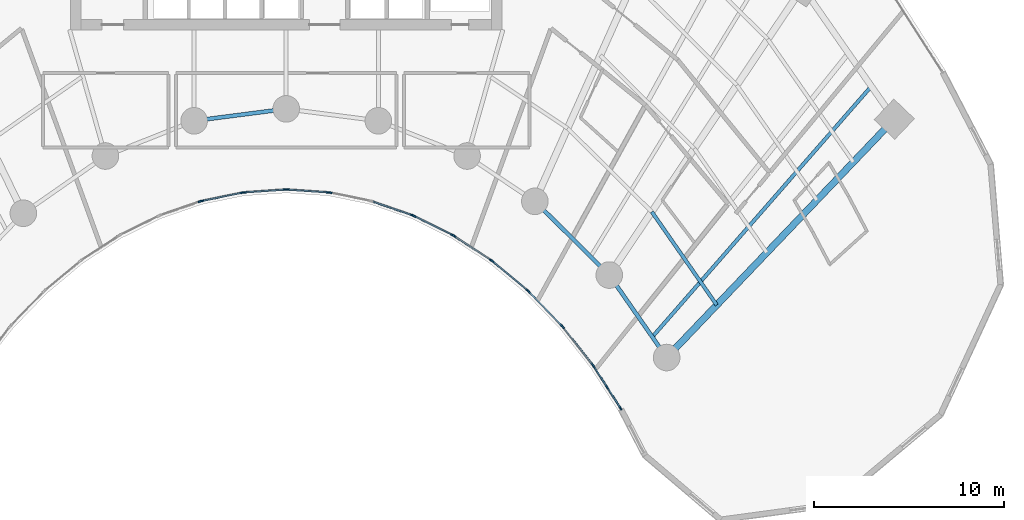
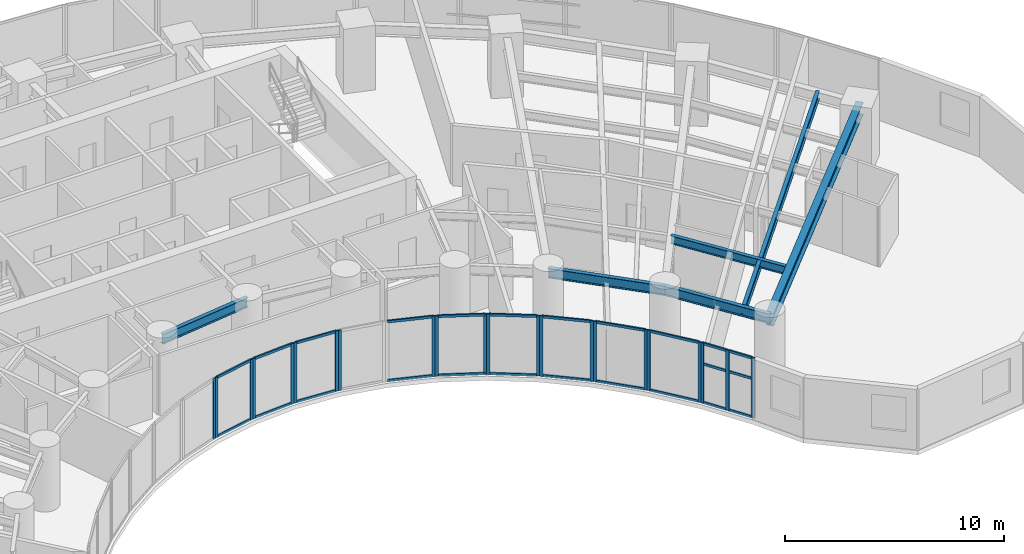
# One storey, part 4 of 17: 46 members, 6 beams, 12 elements without a shape of their own.
"""IFC4 building model written with IfcOpenShell, lengths in metres."""

from ifc_helpers import new_model, si_unit, direction, frame, origin, origin_2d, place, context, subcontext, project, spatial, rectangle, i_section, extrude, source, transform, mapped, material, layer, layer_set, material_profile, profile_set, type_object, type_shapes, element, aggregate, save


model = new_model("IFC4")

# Units and contexts
model_context = context("Model", 3, precision=1e-05, world=origin(), true_north=direction((0.0, 1.0)))
body_context = subcontext(model_context, "Body", "Model", "MODEL_VIEW")
ifc_project = project(units=[si_unit("LENGTHUNIT", "METRE"), si_unit("AREAUNIT", "SQUARE_METRE"), si_unit("VOLUMEUNIT", "CUBIC_METRE"), si_unit("PLANEANGLEUNIT", "RADIAN"), si_unit("MASSUNIT", "GRAM", prefix="KILO")], contexts=[model_context])

# Site, building, storey
site_placement = place(None, origin())
site = spatial("IfcSite", under=ifc_project, at=site_placement, CompositionType="ELEMENT")
building_placement = place(site_placement, origin())
building = spatial("IfcBuilding", under=site, at=building_placement, Name="Breltana Convention Tower", CompositionType="ELEMENT")
storey_placement = place(building_placement, frame((0.0, 0.0, 75.0)))
storey = spatial("IfcBuildingStorey", under=building, at=storey_placement, Name="L17", CompositionType="ELEMENT", Elevation=75.0)

# Beams
ifc_material_1 = material(Name="Steel ASTM A992 Grade 50", Category="steel")
ifc_material_profile_1 = material_profile(ifc_material_1, i_section(OverallWidth=0.35498046875, OverallDepth=0.696044921875, WebThickness=0.015380859375, FlangeThickness=0.02490234375, at=origin_2d()), Name="W27X146")
ifc_profile_set_1 = profile_set([ifc_material_profile_1], Name="Steel ASTM A992 Grade 50")
beam_type_1 = type_object("IfcBeamType", Name="BM-RG-W27X146", PredefinedType="USERDEFINED", material=ifc_profile_set_1)
shared_shape_1 = source(origin(), body_context, "Body", "SweptSolid", [
    extrude(i_section(OverallWidth=0.35498046875, OverallDepth=0.696044921875, WebThickness=0.015380859375, FlangeThickness=0.02490234375, at=origin_2d()), origin(), (0.0, 0.0, 1.0), 17.341064453125),
])
type_shapes(beam_type_1, [shared_shape_1])
beam_1_placement = place(storey_placement, frame((68.015380859375, 42.95458984375, 3.011962890625), z_axis=(0.690716462293, 0.723125693581, 0.0), x_axis=(-0.723125693581, 0.690716462293, 0.0)))
element("IfcBeam", 1, at=beam_1_placement, inside=storey, type_object=beam_type_1, Name="L17 Radial Floor Girder R11", ObjectType="GIRDER", PredefinedType="USERDEFINED", context=body_context, shape_type="MappedRepresentation", body=[
    mapped(shared_shape_1, transform((0.0, 0.0, 0.0), scale=1.0)),
])
ifc_material_profile_2 = material_profile(ifc_material_1, i_section(OverallWidth=0.2099609375, OverallDepth=0.537109375, WebThickness=0.010986328125, FlangeThickness=0.017333984375, at=origin_2d()), Name="W21X68")
ifc_profile_set_2 = profile_set([ifc_material_profile_2], Name="Steel ASTM A992 Grade 50")
beam_type_2 = type_object("IfcBeamType", Name="BM-BM-W21X68", PredefinedType="BEAM", material=ifc_profile_set_2)
shared_shape_2 = source(origin(), body_context, "Body", "SweptSolid", [
    extrude(i_section(OverallWidth=0.2099609375, OverallDepth=0.537109375, WebThickness=0.010986328125, FlangeThickness=0.017333984375, at=origin_2d()), origin(), (0.0, 0.0, 1.0), 4.88671875),
])
beam_2_placement = place(storey_placement, frame((43.153564453125, 55.41064453125, 3.091552734375), z_axis=(0.991780525565, 0.127950729231, 0.0), x_axis=(-0.127950729231, 0.991780525565, 0.0)))
element("IfcBeam", 2, at=beam_2_placement, inside=storey, type_object=beam_type_2, Name="L17 Inner Ring Beam 05", PredefinedType="BEAM", context=body_context, shape_type="MappedRepresentation", body=[
    mapped(shared_shape_2, transform((0.0, 0.0, 0.0), scale=1.0)),
])
shared_shape_3 = source(origin(), body_context, "Body", "SweptSolid", [
    extrude(i_section(OverallWidth=0.2099609375, OverallDepth=0.537109375, WebThickness=0.010986328125, FlangeThickness=0.017333984375, at=origin_2d()), origin(), (0.0, 0.0, 1.0), 5.51171875),
])
beam_3_placement = place(storey_placement, frame((61.08203125, 51.174560546875, 3.091552734375), z_axis=(0.710090360749, -0.704110559196, 0.0), x_axis=(0.704110559196, 0.710090360749, 0.0)))
element("IfcBeam", 3, at=beam_3_placement, inside=storey, type_object=beam_type_2, Name="L17 Inner Ring Beam 09", PredefinedType="BEAM", context=body_context, shape_type="MappedRepresentation", body=[
    mapped(shared_shape_3, transform((0.0, 0.0, 0.0), scale=1.0)),
])
shared_shape_4 = source(origin(), body_context, "Body", "SweptSolid", [
    extrude(i_section(OverallWidth=0.2099609375, OverallDepth=0.537109375, WebThickness=0.010986328125, FlangeThickness=0.017333984375, at=origin_2d()), origin(), (0.0, 0.0, 1.0), 5.286376953125),
])
beam_4_placement = place(storey_placement, frame((64.995849609375, 47.293701171875, 3.091552734375), z_axis=(0.571194382458, -0.82081482531, 0.0), x_axis=(0.82081482531, 0.571194382458, 0.0)))
element("IfcBeam", 4, at=beam_4_placement, inside=storey, type_object=beam_type_2, Name="L17 Inner Ring Beam 10", PredefinedType="BEAM", context=body_context, shape_type="MappedRepresentation", body=[
    mapped(shared_shape_4, transform((0.0, 0.0, 0.0), scale=1.0)),
])
ifc_material_profile_3 = material_profile(ifc_material_1, i_section(OverallWidth=0.19091796875, OverallDepth=0.4599609375, WebThickness=0.010009765625, FlangeThickness=0.01611328125, at=origin_2d()), Name="W18X55")
ifc_profile_set_3 = profile_set([ifc_material_profile_3], Name="Steel ASTM A992 Grade 50")
beam_type_3 = type_object("IfcBeamType", Name="BM-JSG-07", PredefinedType="JOIST", material=ifc_profile_set_3)
shared_shape_5 = source(origin(), body_context, "Body", "SweptSolid", [
    extrude(i_section(OverallWidth=0.19091796875, OverallDepth=0.4599609375, WebThickness=0.010009765625, FlangeThickness=0.01611328125, at=origin_2d()), origin(), (0.0, 0.0, 1.0), 5.982421875),
])
beam_5_placement = place(storey_placement, frame((67.2333984375, 50.623779296875, 3.1298828125), z_axis=(0.571211549446, -0.82080287876, 0.0), x_axis=(0.82080287876, 0.571211549446, 0.0)))
element("IfcBeam", 5, at=beam_5_placement, inside=storey, type_object=beam_type_3, Name="L17 Composite Floor Joist 10.1", PredefinedType="JOIST", context=body_context, shape_type="MappedRepresentation", body=[
    mapped(shared_shape_5, transform((0.0, 0.0, 0.0), scale=1.0)),
])
shared_shape_6 = source(origin(), body_context, "Body", "SweptSolid", [
    extrude(i_section(OverallWidth=0.19091796875, OverallDepth=0.4599609375, WebThickness=0.010009765625, FlangeThickness=0.01611328125, at=origin_2d()), origin(), (0.0, 0.0, 1.0), 17.515625),
])
beam_6_placement = place(storey_placement, frame((67.260498046875, 44.03955078125, 3.1298828125), z_axis=(0.658051548324, 0.752972881151, 0.0), x_axis=(-0.752972881151, 0.658051548324, 0.0)))
element("IfcBeam", 6, at=beam_6_placement, inside=storey, type_object=beam_type_3, Name="L17 Quarter-Bay Radial Trimmer 10", PredefinedType="JOIST", context=body_context, shape_type="MappedRepresentation", body=[
    mapped(shared_shape_6, transform((0.0, 0.0, 0.0), scale=1.0)),
])

# Curtain wall, members
ifc_material_2 = material(Name="Aluminium Anodised Bronze Frame", Category="aluminium")
ifc_layer = layer(ifc_material_2, 0.18994140625, Name="Aluminium Anodised Bronze Frame")
ifc_layer_set = layer_set([ifc_layer], Name="Aluminium Anodised Bronze Frame")
curtain_wall_type = type_object("IfcCurtainWallType", Name="CW-SYS-1", PredefinedType="NOTDEFINED", material=ifc_layer_set)
curtain_wall_1_placement = place(storey_placement, origin())
curtain_wall_1 = element("IfcCurtainWall", 7, at=curtain_wall_1_placement, inside=storey, type_object=curtain_wall_type, Name="L17 inner south-court glazing 3", PredefinedType="NOTDEFINED")
ifc_material_3 = material(Name="Aluminium Anodised Bronze", Category="aluminium")
ifc_material_profile_4 = material_profile(ifc_material_3, rectangle(XDim=0.080078125, YDim=0.139892578125, at=origin_2d()), Name="CWT-80X140")
ifc_profile_set_4 = profile_set([ifc_material_profile_4], Name="Aluminium Anodised Bronze")
member_type_1 = type_object("IfcMemberType", Name="CWT-140", PredefinedType="USERDEFINED", material=ifc_profile_set_4)
shared_shape_7 = source(origin(), body_context, "Body", "SweptSolid", [
    extrude(rectangle(XDim=0.080078125, YDim=0.139892578125, at=origin_2d()), origin(), (0.0, 0.0, 1.0), 2.38720703125),
])
type_shapes(member_type_1, [shared_shape_7])
member_1_placement = place(storey_placement, frame((62.4560546875, 44.667724609375, 0.0400390625), z_axis=(-0.694623715393, 0.719373264734, 0.0), x_axis=(-0.719373264734, -0.694623715393, 0.0)))
member_1 = element("IfcMember", 8, at=member_1_placement, type_object=member_type_1, Name="CW-01 transom 1.1", ObjectType="TRANSOM", PredefinedType="USERDEFINED", context=body_context, shape_type="MappedRepresentation", body=[
    mapped(shared_shape_7, transform((0.0, 0.0, 0.0), scale=1.0)),
])
member_2_placement = place(storey_placement, frame((62.4560546875, 44.667724609375, 3.320068359375), z_axis=(-0.694623715393, 0.719373264734, 0.0), x_axis=(-0.719373264734, -0.694623715393, 0.0)))
member_2 = element("IfcMember", 9, at=member_2_placement, type_object=member_type_1, Name="CW-01 transom 1.2", ObjectType="TRANSOM", PredefinedType="USERDEFINED", context=body_context, shape_type="MappedRepresentation", body=[
    mapped(shared_shape_7, transform((0.0, 0.0, 0.0), scale=1.0)),
])

curtain_wall_2_placement = place(storey_placement, origin())
curtain_wall_2 = element("IfcCurtainWall", 10, at=curtain_wall_2_placement, inside=storey, type_object=curtain_wall_type, Name="L17 inner south-court glazing 4", PredefinedType="NOTDEFINED")
shared_shape_8 = source(origin(), body_context, "Body", "SweptSolid", [
    extrude(rectangle(XDim=0.080078125, YDim=0.139892578125, at=origin_2d()), origin(), (0.0, 0.0, 1.0), 2.312255859375),
])
member_3_placement = place(storey_placement, frame((60.666748046875, 46.5068359375, 0.0400390625), z_axis=(-0.767900974507, 0.640568570374, 0.0), x_axis=(-0.640568570374, -0.767900974507, 0.0)))
member_3 = element("IfcMember", 11, at=member_3_placement, type_object=member_type_1, Name="CW-01 transom 1.1", ObjectType="TRANSOM", PredefinedType="USERDEFINED", context=body_context, shape_type="MappedRepresentation", body=[
    mapped(shared_shape_8, transform((0.0, 0.0, 0.0), scale=1.0)),
])
member_4_placement = place(storey_placement, frame((60.666748046875, 46.5068359375, 3.320068359375), z_axis=(-0.767900974507, 0.640568570374, 0.0), x_axis=(-0.640568570374, -0.767900974507, 0.0)))
member_4 = element("IfcMember", 12, at=member_4_placement, type_object=member_type_1, Name="CW-01 transom 1.2", ObjectType="TRANSOM", PredefinedType="USERDEFINED", context=body_context, shape_type="MappedRepresentation", body=[
    mapped(shared_shape_8, transform((0.0, 0.0, 0.0), scale=1.0)),
])

curtain_wall_3_placement = place(storey_placement, origin())
curtain_wall_3 = element("IfcCurtainWall", 13, at=curtain_wall_3_placement, inside=storey, type_object=curtain_wall_type, Name="L17 inner south-court glazing 5", PredefinedType="NOTDEFINED")
shared_shape_9 = source(origin(), body_context, "Body", "SweptSolid", [
    extrude(rectangle(XDim=0.080078125, YDim=0.139892578125, at=origin_2d()), origin(), (0.0, 0.0, 1.0), 2.2421875),
])
member_5_placement = place(storey_placement, frame((58.746337890625, 48.095458984375, 0.0400390625), z_axis=(-0.835982353773, 0.548756324957, 0.0), x_axis=(-0.548756324957, -0.835982353773, 0.0)))
member_5 = element("IfcMember", 14, at=member_5_placement, type_object=member_type_1, Name="CW-01 transom 1.1", ObjectType="TRANSOM", PredefinedType="USERDEFINED", context=body_context, shape_type="MappedRepresentation", body=[
    mapped(shared_shape_9, transform((0.0, 0.0, 0.0), scale=1.0)),
])
member_6_placement = place(storey_placement, frame((58.746337890625, 48.095458984375, 3.320068359375), z_axis=(-0.835982353773, 0.548756324957, 0.0), x_axis=(-0.548756324957, -0.835982353773, 0.0)))
member_6 = element("IfcMember", 15, at=member_6_placement, type_object=member_type_1, Name="CW-01 transom 1.2", ObjectType="TRANSOM", PredefinedType="USERDEFINED", context=body_context, shape_type="MappedRepresentation", body=[
    mapped(shared_shape_9, transform((0.0, 0.0, 0.0), scale=1.0)),
])

curtain_wall_4_placement = place(storey_placement, origin())
curtain_wall_4 = element("IfcCurtainWall", 16, at=curtain_wall_4_placement, inside=storey, type_object=curtain_wall_type, Name="L17 inner south-court glazing 6", PredefinedType="NOTDEFINED")
shared_shape_10 = source(origin(), body_context, "Body", "SweptSolid", [
    extrude(rectangle(XDim=0.080078125, YDim=0.139892578125, at=origin_2d()), origin(), (0.0, 0.0, 1.0), 2.180908203125),
])
member_7_placement = place(storey_placement, frame((56.71435546875, 49.416015625, 0.0400390625), z_axis=(-0.895922266369, 0.444210865045, 0.0), x_axis=(-0.444210865045, -0.895922266369, 0.0)))
member_7 = element("IfcMember", 17, at=member_7_placement, type_object=member_type_1, Name="CW-01 transom 1.1", ObjectType="TRANSOM", PredefinedType="USERDEFINED", context=body_context, shape_type="MappedRepresentation", body=[
    mapped(shared_shape_10, transform((0.0, 0.0, 0.0), scale=1.0)),
])
member_8_placement = place(storey_placement, frame((56.71435546875, 49.416015625, 3.320068359375), z_axis=(-0.895922266369, 0.444210865045, 0.0), x_axis=(-0.444210865045, -0.895922266369, 0.0)))
member_8 = element("IfcMember", 18, at=member_8_placement, type_object=member_type_1, Name="CW-01 transom 1.2", ObjectType="TRANSOM", PredefinedType="USERDEFINED", context=body_context, shape_type="MappedRepresentation", body=[
    mapped(shared_shape_10, transform((0.0, 0.0, 0.0), scale=1.0)),
])

curtain_wall_5_placement = place(storey_placement, origin())
curtain_wall_5 = element("IfcCurtainWall", 19, at=curtain_wall_5_placement, inside=storey, type_object=curtain_wall_type, Name="L17 inner south-court glazing 9", PredefinedType="NOTDEFINED")
shared_shape_11 = source(origin(), body_context, "Body", "SweptSolid", [
    extrude(rectangle(XDim=0.080078125, YDim=0.139892578125, at=origin_2d()), origin(), (0.0, 0.0, 1.0), 2.07861328125),
])
member_9_placement = place(storey_placement, frame((50.165771484375, 51.6474609375, 0.0400390625), z_axis=(-0.997708627147, 0.067657189691, 0.0), x_axis=(-0.067657189691, -0.997708627147, 0.0)))
member_9 = element("IfcMember", 20, at=member_9_placement, type_object=member_type_1, Name="CW-01 transom 1.1", ObjectType="TRANSOM", PredefinedType="USERDEFINED", context=body_context, shape_type="MappedRepresentation", body=[
    mapped(shared_shape_11, transform((0.0, 0.0, 0.0), scale=1.0)),
])
member_10_placement = place(storey_placement, frame((50.165771484375, 51.6474609375, 3.320068359375), z_axis=(-0.997708627147, 0.067657189691, 0.0), x_axis=(-0.067657189691, -0.997708627147, 0.0)))
member_10 = element("IfcMember", 21, at=member_10_placement, type_object=member_type_1, Name="CW-01 transom 1.2", ObjectType="TRANSOM", PredefinedType="USERDEFINED", context=body_context, shape_type="MappedRepresentation", body=[
    mapped(shared_shape_11, transform((0.0, 0.0, 0.0), scale=1.0)),
])

curtain_wall_6_placement = place(storey_placement, origin())
curtain_wall_6 = element("IfcCurtainWall", 22, at=curtain_wall_6_placement, inside=storey, type_object=curtain_wall_type, Name="L17 inner south-court glazing 10", PredefinedType="NOTDEFINED")
member_11_placement = place(storey_placement, frame((47.907958984375, 51.7880859375, 0.0400390625), z_axis=(-0.997708627147, -0.067657189691, 0.0), x_axis=(0.067657189691, -0.997708627147, 0.0)))
member_11 = element("IfcMember", 23, at=member_11_placement, type_object=member_type_1, Name="CW-01 transom 1.1", ObjectType="TRANSOM", PredefinedType="USERDEFINED", context=body_context, shape_type="MappedRepresentation", body=[
    mapped(shared_shape_11, transform((0.0, 0.0, 0.0), scale=1.0)),
])
member_12_placement = place(storey_placement, frame((47.907958984375, 51.7880859375, 3.320068359375), z_axis=(-0.997708627147, -0.067657189691, 0.0), x_axis=(0.067657189691, -0.997708627147, 0.0)))
member_12 = element("IfcMember", 24, at=member_12_placement, type_object=member_type_1, Name="CW-01 transom 1.2", ObjectType="TRANSOM", PredefinedType="USERDEFINED", context=body_context, shape_type="MappedRepresentation", body=[
    mapped(shared_shape_11, transform((0.0, 0.0, 0.0), scale=1.0)),
])

curtain_wall_7_placement = place(storey_placement, origin())
curtain_wall_7 = element("IfcCurtainWall", 25, at=curtain_wall_7_placement, inside=storey, type_object=curtain_wall_type, Name="L17 inner south-court glazing 2", PredefinedType="NOTDEFINED")
shared_shape_12 = source(origin(), body_context, "Body", "SweptSolid", [
    extrude(rectangle(XDim=0.080078125, YDim=0.139892578125, at=origin_2d()), origin(), (0.0, 0.0, 1.0), 2.4638671875),
])
member_13_placement = place(storey_placement, frame((64.09619140625, 42.5966796875, 0.0400390625), z_axis=(-0.618184689608, 0.786032880695, 0.0), x_axis=(-0.786032880695, -0.618184689608, 0.0)))
member_13 = element("IfcMember", 26, at=member_13_placement, type_object=member_type_1, Name="CW-01 transom 1.1", ObjectType="TRANSOM", PredefinedType="USERDEFINED", context=body_context, shape_type="MappedRepresentation", body=[
    mapped(shared_shape_12, transform((0.0, 0.0, 0.0), scale=1.0)),
])
member_14_placement = place(storey_placement, frame((64.09619140625, 42.5966796875, 3.320068359375), z_axis=(-0.618184689608, 0.786032880695, 0.0), x_axis=(-0.786032880695, -0.618184689608, 0.0)))
member_14 = element("IfcMember", 27, at=member_14_placement, type_object=member_type_1, Name="CW-01 transom 1.2", ObjectType="TRANSOM", PredefinedType="USERDEFINED", context=body_context, shape_type="MappedRepresentation", body=[
    mapped(shared_shape_12, transform((0.0, 0.0, 0.0), scale=1.0)),
])

curtain_wall_8_placement = place(storey_placement, origin())
curtain_wall_8 = element("IfcCurtainWall", 28, at=curtain_wall_8_placement, inside=storey, type_object=curtain_wall_type, Name="L17 inner south-court glazing 1", PredefinedType="NOTDEFINED")
ifc_material_profile_5 = material_profile(ifc_material_3, rectangle(XDim=0.080078125, YDim=0.199951171875, at=origin_2d()), Name="CWM-80X200")
ifc_profile_set_5 = profile_set([ifc_material_profile_5], Name="Aluminium Anodised Bronze")
member_type_2 = type_object("IfcMemberType", Name="CWM-200", PredefinedType="MULLION", material=ifc_profile_set_5)
shared_shape_13 = source(origin(), body_context, "Body", "SweptSolid", [
    extrude(rectangle(XDim=0.080078125, YDim=0.199951171875, at=origin_2d()), origin(), (0.0, 0.0, 1.0), 3.360107421875),
])
member_15_placement = place(storey_placement, frame((65.59228515625, 40.281494140625, 0.0), z_axis=(0.0, 0.0, 1.0), x_axis=(-0.841556194767, -0.540169576197, 0.0)))
member_15 = element("IfcMember", 29, at=member_15_placement, type_object=member_type_2, Name="CW-01 mullion 1", PredefinedType="MULLION", context=body_context, shape_type="MappedRepresentation", body=[
    mapped(shared_shape_13, transform((0.0, 0.0, 0.0), scale=1.0)),
])
member_16_placement = place(storey_placement, frame((64.884765625, 41.3837890625, 0.0), z_axis=(0.0, 0.0, 1.0), x_axis=(-0.841556194767, -0.540169576197, 0.0)))
member_16 = element("IfcMember", 30, at=member_16_placement, type_object=member_type_2, Name="CW-01 mullion 2", PredefinedType="MULLION", context=body_context, shape_type="MappedRepresentation", body=[
    mapped(shared_shape_13, transform((0.0, 0.0, 0.0), scale=1.0)),
])
member_17_placement = place(storey_placement, frame((64.17724609375, 42.48583984375, 0.0), z_axis=(0.0, 0.0, 1.0), x_axis=(-0.841556194767, -0.540169576197, 0.0)))
member_17 = element("IfcMember", 31, at=member_17_placement, type_object=member_type_2, Name="CW-01 mullion 3", PredefinedType="MULLION", context=body_context, shape_type="MappedRepresentation", body=[
    mapped(shared_shape_13, transform((0.0, 0.0, 0.0), scale=1.0)),
])

# Member
member_18_placement = place(storey_placement, frame((64.12109375, 42.565185546875, 0.0), z_axis=(0.0, 0.0, 1.0), x_axis=(-0.786057762734, -0.61815305034, 0.0)))
member_18 = element("IfcMember", 32, at=member_18_placement, type_object=member_type_2, Name="CW-01 mullion 1", PredefinedType="MULLION", context=body_context, shape_type="MappedRepresentation", body=[
    mapped(shared_shape_13, transform((0.0, 0.0, 0.0), scale=1.0)),
])

member_19_placement = place(storey_placement, frame((62.54833984375, 44.56494140625, 0.0), z_axis=(0.0, 0.0, 1.0), x_axis=(-0.786057762734, -0.61815305034, 0.0)))
member_19 = element("IfcMember", 33, at=member_19_placement, type_object=member_type_2, Name="CW-01 mullion 2", PredefinedType="MULLION", context=body_context, shape_type="MappedRepresentation", body=[
    mapped(shared_shape_13, transform((0.0, 0.0, 0.0), scale=1.0)),
])

aggregate(curtain_wall_7, [member_18, member_19, member_13, member_14])

member_20_placement = place(storey_placement, frame((62.48388671875, 44.638916015625, 0.0), z_axis=(0.0, 0.0, 1.0), x_axis=(-0.719384548773, -0.694612029111, 0.0)))
member_20 = element("IfcMember", 34, at=member_20_placement, type_object=member_type_2, Name="CW-01 mullion 1", PredefinedType="MULLION", context=body_context, shape_type="MappedRepresentation", body=[
    mapped(shared_shape_13, transform((0.0, 0.0, 0.0), scale=1.0)),
])

member_21_placement = place(storey_placement, frame((60.77001953125, 46.413818359375, 0.0), z_axis=(0.0, 0.0, 1.0), x_axis=(-0.719384548773, -0.694612029111, 0.0)))
member_21 = element("IfcMember", 35, at=member_21_placement, type_object=member_type_2, Name="CW-01 mullion 2", PredefinedType="MULLION", context=body_context, shape_type="MappedRepresentation", body=[
    mapped(shared_shape_13, transform((0.0, 0.0, 0.0), scale=1.0)),
])

aggregate(curtain_wall_1, [member_20, member_21, member_1, member_2])

member_22_placement = place(storey_placement, frame((60.697265625, 46.481201171875, 0.0), z_axis=(0.0, 0.0, 1.0), x_axis=(-0.640522524458, -0.767939382804, 0.0)))
member_22 = element("IfcMember", 36, at=member_22_placement, type_object=member_type_2, Name="CW-01 mullion 1", PredefinedType="MULLION", context=body_context, shape_type="MappedRepresentation", body=[
    mapped(shared_shape_13, transform((0.0, 0.0, 0.0), scale=1.0)),
])

member_23_placement = place(storey_placement, frame((58.8603515625, 48.013671875, 0.0), z_axis=(0.0, 0.0, 1.0), x_axis=(-0.640522524458, -0.767939382804, 0.0)))
member_23 = element("IfcMember", 37, at=member_23_placement, type_object=member_type_2, Name="CW-01 mullion 2", PredefinedType="MULLION", context=body_context, shape_type="MappedRepresentation", body=[
    mapped(shared_shape_13, transform((0.0, 0.0, 0.0), scale=1.0)),
])

aggregate(curtain_wall_2, [member_22, member_23, member_3, member_4])

member_24_placement = place(storey_placement, frame((58.779541015625, 48.073486328125, 0.0), z_axis=(0.0, 0.0, 1.0), x_axis=(-0.548778278441, -0.835967942634, 0.0)))
member_24 = element("IfcMember", 38, at=member_24_placement, type_object=member_type_2, Name="CW-01 mullion 1", PredefinedType="MULLION", context=body_context, shape_type="MappedRepresentation", body=[
    mapped(shared_shape_13, transform((0.0, 0.0, 0.0), scale=1.0)),
])

member_25_placement = place(storey_placement, frame((56.83837890625, 49.347900390625, 0.0), z_axis=(0.0, 0.0, 1.0), x_axis=(-0.548778278441, -0.835967942634, 0.0)))
member_25 = element("IfcMember", 39, at=member_25_placement, type_object=member_type_2, Name="CW-01 mullion 2", PredefinedType="MULLION", context=body_context, shape_type="MappedRepresentation", body=[
    mapped(shared_shape_13, transform((0.0, 0.0, 0.0), scale=1.0)),
])

aggregate(curtain_wall_3, [member_24, member_25, member_5, member_6])

member_26_placement = place(storey_placement, frame((56.750244140625, 49.3984375, 0.0), z_axis=(0.0, 0.0, 1.0), x_axis=(-0.444117987602, -0.895968310315, 0.0)))
member_26 = element("IfcMember", 40, at=member_26_placement, type_object=member_type_2, Name="CW-01 mullion 1", PredefinedType="MULLION", context=body_context, shape_type="MappedRepresentation", body=[
    mapped(shared_shape_13, transform((0.0, 0.0, 0.0), scale=1.0)),
])

member_27_placement = place(storey_placement, frame((54.724609375, 50.40234375, 0.0), z_axis=(0.0, 0.0, 1.0), x_axis=(-0.444117987602, -0.895968310315, 0.0)))
member_27 = element("IfcMember", 41, at=member_27_placement, type_object=member_type_2, Name="CW-01 mullion 2", PredefinedType="MULLION", context=body_context, shape_type="MappedRepresentation", body=[
    mapped(shared_shape_13, transform((0.0, 0.0, 0.0), scale=1.0)),
])

aggregate(curtain_wall_4, [member_26, member_27, member_7, member_8])

# Curtain wall, member
curtain_wall_9_placement = place(storey_placement, origin())
curtain_wall_9 = element("IfcCurtainWall", 42, at=curtain_wall_9_placement, inside=storey, type_object=curtain_wall_type, Name="L17 inner south-court glazing 7", PredefinedType="NOTDEFINED")
member_28_placement = place(storey_placement, frame((54.6298828125, 50.442138671875, 0.0), z_axis=(0.0, 0.0, 1.0), x_axis=(-0.327413341714, -0.944881211406, 0.0)))
member_28 = element("IfcMember", 43, at=member_28_placement, type_object=member_type_2, Name="CW-01 mullion 1", PredefinedType="MULLION", context=body_context, shape_type="MappedRepresentation", body=[
    mapped(shared_shape_13, transform((0.0, 0.0, 0.0), scale=1.0)),
])

curtain_wall_10_placement = place(storey_placement, origin())
curtain_wall_10 = element("IfcCurtainWall", 44, at=curtain_wall_10_placement, inside=storey, type_object=curtain_wall_type, Name="L17 inner south-court glazing 8", PredefinedType="NOTDEFINED")
member_29_placement = place(storey_placement, frame((50.30859375, 51.630615234375, 0.0), z_axis=(0.0, 0.0, 1.0), x_axis=(-0.200886350278, -0.97961455393, 0.0)))
member_29 = element("IfcMember", 45, at=member_29_placement, type_object=member_type_2, Name="CW-01 mullion 2", PredefinedType="MULLION", context=body_context, shape_type="MappedRepresentation", body=[
    mapped(shared_shape_13, transform((0.0, 0.0, 0.0), scale=1.0)),
])
aggregate(curtain_wall_10, [member_29])

# Member
member_30_placement = place(storey_placement, frame((50.20556640625, 51.644775390625, 0.0), z_axis=(0.0, 0.0, 1.0), x_axis=(-0.067725752326, -0.997703975371, 0.0)))
member_30 = element("IfcMember", 46, at=member_30_placement, type_object=member_type_2, Name="CW-01 mullion 1", PredefinedType="MULLION", context=body_context, shape_type="MappedRepresentation", body=[
    mapped(shared_shape_13, transform((0.0, 0.0, 0.0), scale=1.0)),
])

member_31_placement = place(storey_placement, frame((48.052001953125, 51.790771484375, 0.0), z_axis=(0.0, 0.0, 1.0), x_axis=(-0.067725752326, -0.997703975371, 0.0)))
member_31 = element("IfcMember", 47, at=member_31_placement, type_object=member_type_2, Name="CW-01 mullion 2", PredefinedType="MULLION", context=body_context, shape_type="MappedRepresentation", body=[
    mapped(shared_shape_13, transform((0.0, 0.0, 0.0), scale=1.0)),
])

aggregate(curtain_wall_5, [member_30, member_31, member_9, member_10])

member_32_placement = place(storey_placement, frame((47.947998046875, 51.790771484375, 0.0), z_axis=(0.0, 0.0, 1.0), x_axis=(0.067725752326, -0.997703975371, 0.0)))
member_32 = element("IfcMember", 48, at=member_32_placement, type_object=member_type_2, Name="CW-01 mullion 1", PredefinedType="MULLION", context=body_context, shape_type="MappedRepresentation", body=[
    mapped(shared_shape_13, transform((0.0, 0.0, 0.0), scale=1.0)),
])

member_33_placement = place(storey_placement, frame((45.79443359375, 51.644775390625, 0.0), z_axis=(0.0, 0.0, 1.0), x_axis=(0.067725752326, -0.997703975371, 0.0)))
member_33 = element("IfcMember", 49, at=member_33_placement, type_object=member_type_2, Name="CW-01 mullion 2", PredefinedType="MULLION", context=body_context, shape_type="MappedRepresentation", body=[
    mapped(shared_shape_13, transform((0.0, 0.0, 0.0), scale=1.0)),
])

aggregate(curtain_wall_6, [member_32, member_33, member_11, member_12])

# Curtain wall, members
curtain_wall_11_placement = place(storey_placement, origin())
curtain_wall_11 = element("IfcCurtainWall", 50, at=curtain_wall_11_placement, inside=storey, type_object=curtain_wall_type, Name="L17 inner south-court glazing 11", PredefinedType="NOTDEFINED")
member_34_placement = place(storey_placement, frame((45.69140625, 51.630615234375, 0.0), z_axis=(0.0, 0.0, 1.0), x_axis=(0.200886350278, -0.97961455393, 0.0)))
member_34 = element("IfcMember", 51, at=member_34_placement, type_object=member_type_2, Name="CW-01 mullion 1", PredefinedType="MULLION", context=body_context, shape_type="MappedRepresentation", body=[
    mapped(shared_shape_13, transform((0.0, 0.0, 0.0), scale=1.0)),
])
member_35_placement = place(storey_placement, frame((43.55908203125, 51.193359375, 0.0), z_axis=(0.0, 0.0, 1.0), x_axis=(0.200886350278, -0.97961455393, 0.0)))
member_35 = element("IfcMember", 52, at=member_35_placement, type_object=member_type_2, Name="CW-01 mullion 2", PredefinedType="MULLION", context=body_context, shape_type="MappedRepresentation", body=[
    mapped(shared_shape_13, transform((0.0, 0.0, 0.0), scale=1.0)),
])

# Curtain wall, member
curtain_wall_12_placement = place(storey_placement, origin())
curtain_wall_12 = element("IfcCurtainWall", 53, at=curtain_wall_12_placement, inside=storey, type_object=curtain_wall_type, Name="L17 inner south-court glazing 12", PredefinedType="NOTDEFINED")
member_36_placement = place(storey_placement, frame((43.45947265625, 51.166015625, 0.0), z_axis=(0.0, 0.0, 1.0), x_axis=(0.327413341714, -0.944881211406, 0.0)))
member_36 = element("IfcMember", 54, at=member_36_placement, type_object=member_type_2, Name="CW-01 mullion 1", PredefinedType="MULLION", context=body_context, shape_type="MappedRepresentation", body=[
    mapped(shared_shape_13, transform((0.0, 0.0, 0.0), scale=1.0)),
])
aggregate(curtain_wall_12, [member_36])

# Member
shared_shape_14 = source(origin(), body_context, "Body", "SweptSolid", [
    extrude(rectangle(XDim=0.080078125, YDim=0.139892578125, at=origin_2d()), origin(), (0.0, 0.0, 1.0), 1.229736328125),
])
member_37_placement = place(storey_placement, frame((65.57080078125, 40.315185546875, 0.0400390625), z_axis=(-0.540185543357, 0.841545945714, 0.0), x_axis=(-0.841545945714, -0.540185543357, 0.0)))
member_37 = element("IfcMember", 55, at=member_37_placement, type_object=member_type_1, Name="CW-01 transom 1.1", ObjectType="TRANSOM", PredefinedType="USERDEFINED", context=body_context, shape_type="MappedRepresentation", body=[
    mapped(shared_shape_14, transform((0.0, 0.0, 0.0), scale=1.0)),
])

member_38_placement = place(storey_placement, frame((65.57080078125, 40.315185546875, 2.18408203125), z_axis=(-0.540185543357, 0.841545945714, 0.0), x_axis=(-0.841545945714, -0.540185543357, 0.0)))
member_38 = element("IfcMember", 56, at=member_38_placement, type_object=member_type_1, Name="CW-01 transom 1.2", ObjectType="TRANSOM", PredefinedType="USERDEFINED", context=body_context, shape_type="MappedRepresentation", body=[
    mapped(shared_shape_14, transform((0.0, 0.0, 0.0), scale=1.0)),
])

member_39_placement = place(storey_placement, frame((65.57080078125, 40.315185546875, 3.320068359375), z_axis=(-0.540185543357, 0.841545945714, 0.0), x_axis=(-0.841545945714, -0.540185543357, 0.0)))
member_39 = element("IfcMember", 57, at=member_39_placement, type_object=member_type_1, Name="CW-01 transom 1.3", ObjectType="TRANSOM", PredefinedType="USERDEFINED", context=body_context, shape_type="MappedRepresentation", body=[
    mapped(shared_shape_14, transform((0.0, 0.0, 0.0), scale=1.0)),
])

member_40_placement = place(storey_placement, frame((64.86328125, 41.41748046875, 0.0400390625), z_axis=(-0.540185543357, 0.841545945714, 0.0), x_axis=(-0.841545945714, -0.540185543357, 0.0)))
member_40 = element("IfcMember", 58, at=member_40_placement, type_object=member_type_1, Name="CW-01 transom 2.1", ObjectType="TRANSOM", PredefinedType="USERDEFINED", context=body_context, shape_type="MappedRepresentation", body=[
    mapped(shared_shape_14, transform((0.0, 0.0, 0.0), scale=1.0)),
])

member_41_placement = place(storey_placement, frame((64.86328125, 41.41748046875, 2.18408203125), z_axis=(-0.540185543357, 0.841545945714, 0.0), x_axis=(-0.841545945714, -0.540185543357, 0.0)))
member_41 = element("IfcMember", 59, at=member_41_placement, type_object=member_type_1, Name="CW-01 transom 2.2", ObjectType="TRANSOM", PredefinedType="USERDEFINED", context=body_context, shape_type="MappedRepresentation", body=[
    mapped(shared_shape_14, transform((0.0, 0.0, 0.0), scale=1.0)),
])

member_42_placement = place(storey_placement, frame((64.86328125, 41.41748046875, 3.320068359375), z_axis=(-0.540185543357, 0.841545945714, 0.0), x_axis=(-0.841545945714, -0.540185543357, 0.0)))
member_42 = element("IfcMember", 60, at=member_42_placement, type_object=member_type_1, Name="CW-01 transom 2.3", ObjectType="TRANSOM", PredefinedType="USERDEFINED", context=body_context, shape_type="MappedRepresentation", body=[
    mapped(shared_shape_14, transform((0.0, 0.0, 0.0), scale=1.0)),
])

aggregate(curtain_wall_8, [member_15, member_16, member_17, member_37, member_38, member_39, member_40, member_41, member_42])

shared_shape_15 = source(origin(), body_context, "Body", "SweptSolid", [
    extrude(rectangle(XDim=0.080078125, YDim=0.139892578125, at=origin_2d()), origin(), (0.0, 0.0, 1.0), 2.131103515625),
])
member_43_placement = place(storey_placement, frame((54.592041015625, 50.455078125, 0.0400390625), z_axis=(-0.944847069856, 0.327511854112, 0.0), x_axis=(-0.327511854112, -0.944847069856, 0.0)))
member_43 = element("IfcMember", 61, at=member_43_placement, type_object=member_type_1, Name="CW-01 transom 1.1", ObjectType="TRANSOM", PredefinedType="USERDEFINED", context=body_context, shape_type="MappedRepresentation", body=[
    mapped(shared_shape_15, transform((0.0, 0.0, 0.0), scale=1.0)),
])

member_44_placement = place(storey_placement, frame((54.592041015625, 50.455078125, 3.320068359375), z_axis=(-0.944847069856, 0.327511854112, 0.0), x_axis=(-0.327511854112, -0.944847069856, 0.0)))
member_44 = element("IfcMember", 62, at=member_44_placement, type_object=member_type_1, Name="CW-01 transom 1.2", ObjectType="TRANSOM", PredefinedType="USERDEFINED", context=body_context, shape_type="MappedRepresentation", body=[
    mapped(shared_shape_15, transform((0.0, 0.0, 0.0), scale=1.0)),
])

aggregate(curtain_wall_9, [member_28, member_43, member_44])

shared_shape_16 = source(origin(), body_context, "Body", "SweptSolid", [
    extrude(rectangle(XDim=0.080078125, YDim=0.139892578125, at=origin_2d()), origin(), (0.0, 0.0, 1.0), 2.096435546875),
])
member_45_placement = place(storey_placement, frame((45.652099609375, 51.62255859375, 0.0400390625), z_axis=(-0.979615042233, -0.200883969074, 0.0), x_axis=(0.200883969074, -0.979615042233, 0.0)))
member_45 = element("IfcMember", 63, at=member_45_placement, type_object=member_type_1, Name="CW-01 transom 1.1", ObjectType="TRANSOM", PredefinedType="USERDEFINED", context=body_context, shape_type="MappedRepresentation", body=[
    mapped(shared_shape_16, transform((0.0, 0.0, 0.0), scale=1.0)),
])

member_46_placement = place(storey_placement, frame((45.652099609375, 51.62255859375, 3.320068359375), z_axis=(-0.979615042233, -0.200883969074, 0.0), x_axis=(0.200883969074, -0.979615042233, 0.0)))
member_46 = element("IfcMember", 64, at=member_46_placement, type_object=member_type_1, Name="CW-01 transom 1.2", ObjectType="TRANSOM", PredefinedType="USERDEFINED", context=body_context, shape_type="MappedRepresentation", body=[
    mapped(shared_shape_16, transform((0.0, 0.0, 0.0), scale=1.0)),
])

aggregate(curtain_wall_11, [member_34, member_35, member_45, member_46])

save(model, "model.ifc")
